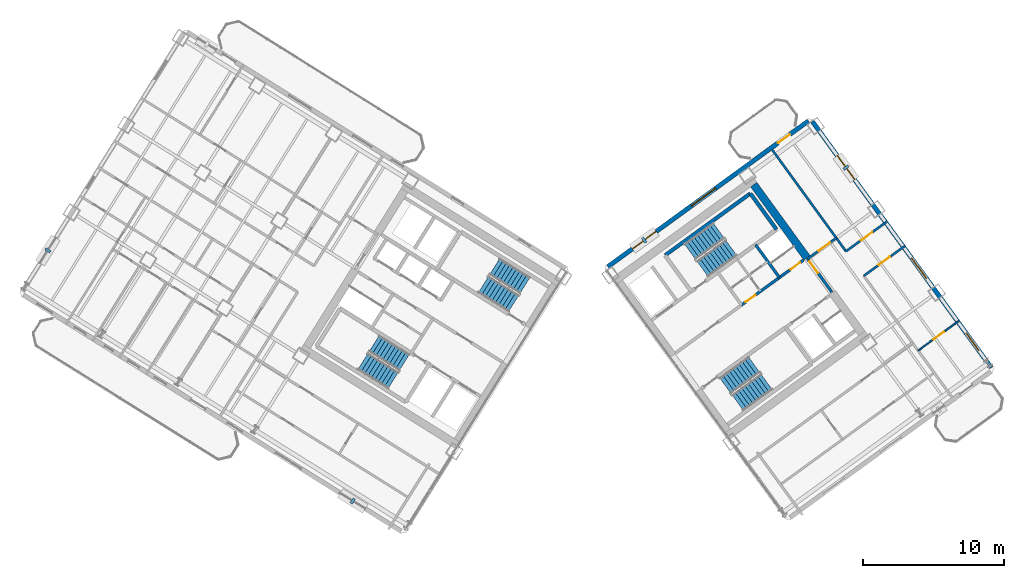
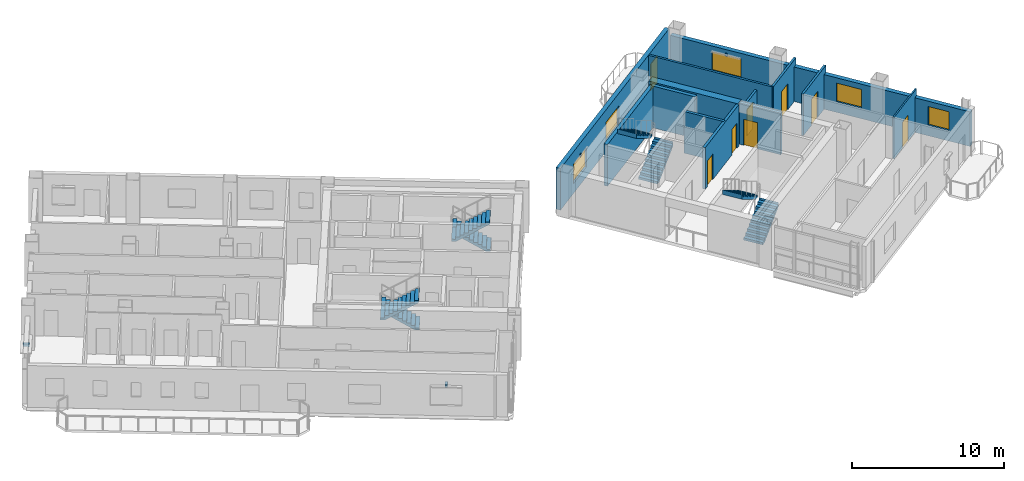
# One storey, part 14 of 19: 13 walls, 8 doors, 8 stair flights, 5 windows, 4 discrete accessories, 13 openings, 4 elements without a shape of their own.
"""IFC4 building model written with IfcOpenShell, lengths in metres."""

from ifc_helpers import new_model, si_unit, direction, frame, frame_2d, origin, origin_2d, place, context, subcontext, project, spatial, polyline, rectangle, outline, extrude, source, transform, mapped, material, layer, layer_set, type_object, element, fill, aggregate, save


model = new_model("IFC4")

# Units and contexts
model_context = context("Model", 3, precision=1e-05, world=origin(), true_north=direction((0.0, 1.0)))
body_context = subcontext(model_context, "Body", "Model", "MODEL_VIEW")
ifc_project = project(units=[si_unit("LENGTHUNIT", "METRE"), si_unit("AREAUNIT", "SQUARE_METRE"), si_unit("VOLUMEUNIT", "CUBIC_METRE"), si_unit("PLANEANGLEUNIT", "RADIAN"), si_unit("MASSUNIT", "GRAM", prefix="KILO")], contexts=[model_context])

# Site, building, storey
site_placement = place(None, origin())
site = spatial("IfcSite", under=ifc_project, at=site_placement, CompositionType="ELEMENT")
building_placement = place(site_placement, origin())
building = spatial("IfcBuilding", under=site, at=building_placement, Name="Tlacorven Tower", CompositionType="ELEMENT")
storey_placement = place(building_placement, frame((0.0, 0.0, 147.89990234375)))
storey = spatial("IfcBuildingStorey", under=building, at=storey_placement, Name="L37", CompositionType="ELEMENT", Elevation=147.89990234375)

# Wall
ifc_material_1 = material(Name="Concrete C60/75", Category="concrete")
ifc_layer_1 = layer(ifc_material_1, 0.550048828125)
ifc_layer_set_1 = layer_set([ifc_layer_1], Name="Concrete C60/75")
wall_type_1 = type_object("IfcWallType", Name="WL-COR-550", PredefinedType="SHEAR", material=ifc_layer_set_1)
wall_1_placement = place(storey_placement, frame((58.06396484375, 25.8134765625, 0.0), z_axis=(0.0, 0.0, 1.0), x_axis=(-0.587764933797, 0.809031756236, 0.0)))
element("IfcWall", 1, at=wall_1_placement, inside=storey, type_object=wall_type_1, Name="L37 E core end wall E2.2", PredefinedType="SHEAR", context=body_context, shape_type="SweptSolid", body=[
    extrude(rectangle(XDim=6.425048828125, YDim=0.550048828125, at=frame_2d((3.21240234375, 0.0))), origin(), (0.0, 0.0, 1.0), 3.35009765625),
])

# Wall, opening, door
ifc_material_2 = material(Name="Gypsum plasterboard acoustic partition", Category="gypsum")
ifc_layer_2 = layer(ifc_material_2, 0.159912109375)
ifc_layer_set_2 = layer_set([ifc_layer_2], Name="Gypsum plasterboard acoustic partition")
wall_type_2 = type_object("IfcWallType", Name="WL-DEM-160", PredefinedType="PARTITIONING", material=ifc_layer_set_2)
wall_2_placement = place(storey_placement, frame((58.111083984375, 25.748779296875, 0.0), z_axis=(0.0, 0.0, 1.0), x_axis=(0.809000999347, 0.58780726693, 0.0)))
wall_2 = element("IfcWall", 2, at=wall_2_placement, inside=storey, type_object=wall_type_2, Name="L37 partition 77", PredefinedType="PARTITIONING", context=body_context, shape_type="SweptSolid", body=[
    extrude(rectangle(XDim=2.510009765625, YDim=0.159912109375, at=frame_2d((1.2548828125, 0.0))), origin(), (0.0, 0.0, 1.0), 2.775146484375),
])
opening_1_placement = place(wall_2_placement, frame((0.949951171875, 0.0, 0.0)))
opening_1 = element("IfcOpeningElement", 3, at=opening_1_placement, cuts=wall_2, Name="Opening D11", PredefinedType="OPENING", context=body_context, shape_type="SweptSolid", body=[
    extrude(rectangle(XDim=1.0, YDim=2.10009765625, at=frame_2d((0.5, 1.050048828125))), frame((0.0, 0.08984375, 0.0), z_axis=(0.0, -1.0, 0.0), x_axis=(1.0, 0.0, 0.0)), (0.0, 0.0, 1.0), 0.179931640625),
])
ifc_material_3 = material(Name="Fire-rated steel door assembly", Category="steel")
door_type_1 = type_object("IfcDoorType", Name="DR-FLT-FD60-1000", OperationType="NOTDEFINED", PredefinedType="DOOR", material=ifc_material_3)
shared_shape_1 = source(origin(), body_context, "Body", "SweptSolid", [
    extrude(rectangle(XDim=1.0, YDim=2.10009765625, at=frame_2d((0.5, 1.050048828125))), frame((0.0, 0.02490234375, 0.0), z_axis=(0.0, -1.0, 0.0), x_axis=(1.0, 0.0, 0.0)), (0.0, 0.0, 1.0), 0.050048828125),
])
door_1_placement = place(opening_1_placement, origin())
door_1 = element("IfcDoor", 4, at=door_1_placement, inside=storey, type_object=door_type_1, Name="L37 door 048", OperationType="SINGLE_SWING_RIGHT", OverallHeight=2.10009765625, OverallWidth=1.0, PredefinedType="DOOR", context=body_context, shape_type="MappedRepresentation", body=[
    mapped(shared_shape_1, transform((0.0, 0.0, 0.0), scale=1.0)),
])
fill(opening_1, door_1)

# Wall
wall_3_placement = place(storey_placement, frame((60.829345703125, 26.277587890625, 0.0), z_axis=(0.0, 0.0, 1.0), x_axis=(-0.587781800813, 0.80901950201, 0.0)))
element("IfcWall", 5, at=wall_3_placement, inside=storey, type_object=wall_type_2, Name="L37 partition 79", PredefinedType="PARTITIONING", context=body_context, shape_type="SweptSolid", body=[
    extrude(rectangle(XDim=8.89990234375, YDim=0.159912109375, at=frame_2d((4.449951171875, 0.0))), origin(), (0.0, 0.0, 1.0), 3.340087890625),
])

# Wall, opening, door
wall_4_placement = place(storey_placement, frame((62.093017578125, 24.538330078125, 0.0), z_axis=(0.0, 0.0, 1.0), x_axis=(0.809035546126, 0.58775971715, 0.0)))
wall_4 = element("IfcWall", 6, at=wall_4_placement, inside=storey, type_object=wall_type_2, Name="L37 partition 81", PredefinedType="PARTITIONING", context=body_context, shape_type="SweptSolid", body=[
    extrude(rectangle(XDim=3.6298828125, YDim=0.159912109375, at=frame_2d((1.81494140625, 0.0))), origin(), (0.0, 0.0, 1.0), 3.340087890625),
])
opening_2_placement = place(wall_4_placement, frame((1.304931640625, 0.0, 0.0)))
opening_2 = element("IfcOpeningElement", 7, at=opening_2_placement, cuts=wall_4, Name="Opening D11", PredefinedType="OPENING", context=body_context, shape_type="SweptSolid", body=[
    extrude(rectangle(XDim=1.0, YDim=2.10009765625, at=frame_2d((0.5, 1.050048828125))), frame((0.0, 0.08984375, 0.0), z_axis=(0.0, -1.0, 0.0), x_axis=(1.0, 0.0, 0.0)), (0.0, 0.0, 1.0), 0.179931640625),
])
door_2_placement = place(opening_2_placement, origin())
door_2 = element("IfcDoor", 8, at=door_2_placement, inside=storey, type_object=door_type_1, Name="L37 door 051", OperationType="SINGLE_SWING_LEFT", OverallHeight=2.10009765625, OverallWidth=1.0, PredefinedType="DOOR", context=body_context, shape_type="MappedRepresentation", body=[
    mapped(shared_shape_1, transform((0.0, 0.0, 0.0), scale=1.0)),
])
fill(opening_2, door_2)

wall_5_placement = place(storey_placement, frame((60.829345703125, 26.277587890625, 0.0), z_axis=(0.0, 0.0, 1.0), x_axis=(0.809003564202, 0.587803736896, 0.0)))
wall_5 = element("IfcWall", 9, at=wall_5_placement, inside=storey, type_object=wall_type_2, Name="L37 partition 82", PredefinedType="PARTITIONING", context=body_context, shape_type="SweptSolid", body=[
    extrude(rectangle(XDim=3.630126953125, YDim=0.159912109375, at=frame_2d((1.81494140625, 0.0))), origin(), (0.0, 0.0, 1.0), 3.340087890625),
])
opening_3_placement = place(wall_5_placement, frame((1.304931640625, 0.0, 0.0)))
opening_3 = element("IfcOpeningElement", 10, at=opening_3_placement, cuts=wall_5, Name="Opening D11", PredefinedType="OPENING", context=body_context, shape_type="SweptSolid", body=[
    extrude(rectangle(XDim=1.0, YDim=2.10009765625, at=frame_2d((0.5, 1.050048828125))), frame((0.0, 0.08984375, 0.0), z_axis=(0.0, -1.0, 0.0), x_axis=(1.0, 0.0, 0.0)), (0.0, 0.0, 1.0), 0.179931640625),
])
door_3_placement = place(opening_3_placement, origin())
door_3 = element("IfcDoor", 11, at=door_3_placement, inside=storey, type_object=door_type_1, Name="L37 door 050", OperationType="SINGLE_SWING_LEFT", OverallHeight=2.10009765625, OverallWidth=1.0, PredefinedType="DOOR", context=body_context, shape_type="MappedRepresentation", body=[
    mapped(shared_shape_1, transform((0.0, 0.0, 0.0), scale=1.0)),
])
fill(opening_3, door_3)

# Wall, openings, door, windows
ifc_material_4 = material(Name="Precast concrete C45/55", Category="concrete")
ifc_layer_3 = layer(ifc_material_4, 0.320068359375)
ifc_layer_set_3 = layer_set([ifc_layer_3], Name="Precast concrete C45/55")
wall_type_3 = type_object("IfcWallType", Name="WL-EXT-320", PredefinedType="STANDARD", material=ifc_layer_set_3)
wall_6_placement = place(storey_placement, frame((43.93798828125, 25.191650390625, 0.0), z_axis=(0.0, 0.0, 1.0), x_axis=(0.809016324578, 0.587786174187, 0.0)))
wall_6 = element("IfcWall", 12, at=wall_6_placement, inside=storey, type_object=wall_type_3, Name="L37 Masonry-Frame Recessed Facade Wall 4", PredefinedType="STANDARD", context=body_context, shape_type="SweptSolid", body=[
    extrude(rectangle(XDim=17.58740234375, YDim=0.320068359375, at=frame_2d((8.793701171875, 0.0))), origin(), (0.0, 0.0, 1.0), 3.35009765625),
])
opening_4_placement = place(wall_6_placement, frame((14.913818359375, 0.0, 0.0)))
opening_4 = element("IfcOpeningElement", 13, at=opening_4_placement, cuts=wall_6, Name="Opening D06", PredefinedType="OPENING", context=body_context, shape_type="SweptSolid", body=[
    extrude(rectangle(XDim=1.050048828125, YDim=2.14990234375, at=frame_2d((0.52490234375, 1.074951171875))), frame((0.0, 0.169921875, 0.0), z_axis=(0.0, -1.0, 0.0), x_axis=(1.0, 0.0, 0.0)), (0.0, 0.0, 1.0), 0.340087890625),
])
opening_5_placement = place(wall_6_placement, frame((2.143798828125, 0.0, 0.800048828125)))
opening_5 = element("IfcOpeningElement", 14, at=opening_5_placement, cuts=wall_6, Name="Opening WN04", PredefinedType="OPENING", context=body_context, shape_type="SweptSolid", body=[
    extrude(rectangle(XDim=2.10009765625, YDim=1.550048828125, at=frame_2d((1.050048828125, 0.77490234375))), frame((0.0, 0.169921875, 0.0), z_axis=(0.0, -1.0, 0.0), x_axis=(1.0, 0.0, 0.0)), (0.0, 0.0, 1.0), 0.340087890625),
])
opening_6_placement = place(wall_6_placement, frame((7.34375, 0.0, 0.800048828125)))
opening_6 = element("IfcOpeningElement", 15, at=opening_6_placement, cuts=wall_6, Name="Opening WN04", PredefinedType="OPENING", context=body_context, shape_type="SweptSolid", body=[
    extrude(rectangle(XDim=2.10009765625, YDim=1.550048828125, at=frame_2d((1.050048828125, 0.77490234375))), frame((0.0, 0.169921875, 0.0), z_axis=(0.0, -1.0, 0.0), x_axis=(1.0, 0.0, 0.0)), (0.0, 0.0, 1.0), 0.340087890625),
])
ifc_material_5 = material(Name="Powder-coated aluminium and timber door", Category="wood")
door_type_2 = type_object("IfcDoorType", Name="DR-EXT-BALC-1050", OperationType="NOTDEFINED", PredefinedType="DOOR", material=ifc_material_5)
shared_shape_2 = source(origin(), body_context, "Body", "SweptSolid", [
    extrude(rectangle(XDim=1.050048828125, YDim=2.14990234375, at=frame_2d((0.52490234375, 1.074951171875))), frame((0.0, 0.02490234375, 0.0), z_axis=(0.0, -1.0, 0.0), x_axis=(1.0, 0.0, 0.0)), (0.0, 0.0, 1.0), 0.050048828125),
])
door_4_placement = place(opening_4_placement, origin())
door_4 = element("IfcDoor", 16, at=door_4_placement, inside=storey, type_object=door_type_2, Name="L37 Outdoor Access Door BAL-L37-E-IN", OperationType="SINGLE_SWING_RIGHT", OverallHeight=2.14990234375, OverallWidth=1.050048828125, PredefinedType="DOOR", context=body_context, shape_type="MappedRepresentation", body=[
    mapped(shared_shape_2, transform((0.0, 0.0, 0.0), scale=1.0)),
])
fill(opening_4, door_4)
ifc_material_6 = material(Name="Dark solar low-E double glazing in anodised aluminium frame", Category="aluminium")
window_type_1 = type_object("IfcWindowType", Name="WN-APT-2100X1750", PartitioningType="SINGLE_PANEL", PredefinedType="WINDOW", material=ifc_material_6)
shared_shape_3 = source(origin(), body_context, "Body", "SweptSolid", [
    extrude(rectangle(XDim=2.10009765625, YDim=1.550048828125, at=frame_2d((1.050048828125, 0.77490234375))), frame((0.0, 0.030029296875, 0.0), z_axis=(0.0, -1.0, 0.0), x_axis=(1.0, 0.0, 0.0)), (0.0, 0.0, 1.0), 0.06005859375),
])
window_1_placement = place(opening_5_placement, origin())
window_1 = element("IfcWindow", 17, at=window_1_placement, inside=storey, type_object=window_type_1, Name="L37 Recessed Masonry-Frame Window L37-04.1", OverallHeight=1.550048828125, OverallWidth=2.10009765625, PartitioningType="SINGLE_PANEL", PredefinedType="WINDOW", context=body_context, shape_type="MappedRepresentation", body=[
    mapped(shared_shape_3, transform((0.0, 0.0, 0.0), scale=1.0)),
])
fill(opening_5, window_1)
window_2_placement = place(opening_6_placement, origin())
window_2 = element("IfcWindow", 18, at=window_2_placement, inside=storey, type_object=window_type_1, Name="L37 Recessed Masonry-Frame Window L37-04.2", OverallHeight=1.550048828125, OverallWidth=2.10009765625, PartitioningType="SINGLE_PANEL", PredefinedType="WINDOW", context=body_context, shape_type="MappedRepresentation", body=[
    mapped(shared_shape_3, transform((0.0, 0.0, 0.0), scale=1.0)),
])
fill(opening_6, window_2)

# Wall, openings, windows
wall_7_placement = place(storey_placement, frame((58.45458984375, 35.483642578125, 0.0), z_axis=(0.0, 0.0, 1.0), x_axis=(0.587783625747, -0.809018176127, 0.0)))
wall_7 = element("IfcWall", 19, at=wall_7_placement, inside=storey, type_object=wall_type_3, Name="L37 Masonry-Frame Recessed Facade Wall 5", PredefinedType="STANDARD", context=body_context, shape_type="SweptSolid", body=[
    extrude(rectangle(XDim=21.58740234375, YDim=0.320068359375, at=frame_2d((10.793701171875, 0.0))), origin(), (0.0, 0.0, 1.0), 2.775146484375),
])
opening_7_placement = place(wall_7_placement, frame((2.99365234375, 0.0, 0.800048828125)))
opening_7 = element("IfcOpeningElement", 20, at=opening_7_placement, cuts=wall_7, Name="Opening WN04", PredefinedType="OPENING", context=body_context, shape_type="SweptSolid", body=[
    extrude(rectangle(XDim=2.10009765625, YDim=1.550048828125, at=frame_2d((1.050048828125, 0.77490234375))), frame((0.0, 0.169921875, 0.0), z_axis=(0.0, -1.0, 0.0), x_axis=(1.0, 0.0, 0.0)), (0.0, 0.0, 1.0), 0.340087890625),
])
opening_8_placement = place(wall_7_placement, frame((11.958740234375, 0.0, 0.85009765625)))
opening_8 = element("IfcOpeningElement", 21, at=opening_8_placement, cuts=wall_7, Name="Opening WN01", PredefinedType="OPENING", context=body_context, shape_type="SweptSolid", body=[
    extrude(rectangle(XDim=1.800048828125, YDim=1.5, at=frame_2d((0.89990234375, 0.75))), frame((0.0, 0.169921875, 0.0), z_axis=(0.0, -1.0, 0.0), x_axis=(1.0, 0.0, 0.0)), (0.0, 0.0, 1.0), 0.340087890625),
])
opening_9_placement = place(wall_7_placement, frame((18.559814453125, 0.0, 0.85009765625)))
opening_9 = element("IfcOpeningElement", 22, at=opening_9_placement, cuts=wall_7, Name="Opening WN02", PredefinedType="OPENING", context=body_context, shape_type="SweptSolid", body=[
    extrude(rectangle(XDim=1.5, YDim=1.5, at=frame_2d((0.75, 0.75))), frame((0.0, 0.169921875, 0.0), z_axis=(0.0, -1.0, 0.0), x_axis=(1.0, 0.0, 0.0)), (0.0, 0.0, 1.0), 0.340087890625),
])
window_3_placement = place(opening_7_placement, origin())
window_3 = element("IfcWindow", 23, at=window_3_placement, inside=storey, type_object=window_type_1, Name="L37 Recessed Masonry-Frame Window L37-05.1", OverallHeight=1.550048828125, OverallWidth=2.10009765625, PartitioningType="SINGLE_PANEL", PredefinedType="WINDOW", context=body_context, shape_type="MappedRepresentation", body=[
    mapped(shared_shape_3, transform((0.0, 0.0, 0.0), scale=1.0)),
])
fill(opening_7, window_3)
window_type_2 = type_object("IfcWindowType", Name="WN-APT-1800X1650", PartitioningType="SINGLE_PANEL", PredefinedType="WINDOW", material=ifc_material_6)
shared_shape_4 = source(origin(), body_context, "Body", "SweptSolid", [
    extrude(rectangle(XDim=1.800048828125, YDim=1.5, at=frame_2d((0.89990234375, 0.75))), frame((0.0, 0.030029296875, 0.0), z_axis=(0.0, -1.0, 0.0), x_axis=(1.0, 0.0, 0.0)), (0.0, 0.0, 1.0), 0.06005859375),
])
window_4_placement = place(opening_8_placement, origin())
window_4 = element("IfcWindow", 24, at=window_4_placement, inside=storey, type_object=window_type_2, Name="L37 Recessed Masonry-Frame Window L37-05.2", OverallHeight=1.5, OverallWidth=1.800048828125, PartitioningType="SINGLE_PANEL", PredefinedType="WINDOW", context=body_context, shape_type="MappedRepresentation", body=[
    mapped(shared_shape_4, transform((0.0, 0.0, 0.0), scale=1.0)),
])
fill(opening_8, window_4)
window_type_3 = type_object("IfcWindowType", Name="WN-APT-1500X1650", PartitioningType="SINGLE_PANEL", PredefinedType="WINDOW", material=ifc_material_6)
shared_shape_5 = source(origin(), body_context, "Body", "SweptSolid", [
    extrude(rectangle(XDim=1.5, YDim=1.5, at=frame_2d((0.75, 0.75))), frame((0.0, 0.030029296875, 0.0), z_axis=(0.0, -1.0, 0.0), x_axis=(1.0, 0.0, 0.0)), (0.0, 0.0, 1.0), 0.06005859375),
])
window_5_placement = place(opening_9_placement, origin())
window_5 = element("IfcWindow", 25, at=window_5_placement, inside=storey, type_object=window_type_3, Name="L37 Recessed Masonry-Frame Window L37-05.3", OverallHeight=1.5, OverallWidth=1.5, PartitioningType="SINGLE_PANEL", PredefinedType="WINDOW", context=body_context, shape_type="MappedRepresentation", body=[
    mapped(shared_shape_5, transform((0.0, 0.0, 0.0), scale=1.0)),
])
fill(opening_9, window_5)

# Wall, opening, door
ifc_material_7 = material(Name="Gypsum plasterboard partition", Category="gypsum")
ifc_layer_4 = layer(ifc_material_7, 0.110107421875)
ifc_layer_set_4 = layer_set([ifc_layer_4], Name="Gypsum plasterboard partition")
wall_type_4 = type_object("IfcWallType", Name="WL-INT-110", PredefinedType="PARTITIONING", material=ifc_layer_set_4)
wall_8_placement = place(storey_placement, frame((65.9443359375, 19.237548828125, 0.0), z_axis=(0.0, 0.0, 1.0), x_axis=(0.809013833588, 0.587789602718, 0.0)))
wall_8 = element("IfcWall", 26, at=wall_8_placement, inside=storey, type_object=wall_type_4, Name="L37 partition 83", PredefinedType="PARTITIONING", context=body_context, shape_type="SweptSolid", body=[
    extrude(rectangle(XDim=3.60986328125, YDim=0.110107421875, at=frame_2d((1.804931640625, 0.0))), origin(), (0.0, 0.0, 1.0), 3.340087890625),
])
opening_10_placement = place(wall_8_placement, frame((1.344970703125, 0.0, 0.0)))
opening_10 = element("IfcOpeningElement", 27, at=opening_10_placement, cuts=wall_8, Name="Opening D12", PredefinedType="OPENING", context=body_context, shape_type="SweptSolid", body=[
    extrude(rectangle(XDim=0.919921875, YDim=2.080078125, at=frame_2d((0.4599609375, 1.0400390625))), frame((0.0, 0.06494140625, 0.0), z_axis=(0.0, -1.0, 0.0), x_axis=(1.0, 0.0, 0.0)), (0.0, 0.0, 1.0), 0.130126953125),
])
door_type_3 = type_object("IfcDoorType", Name="DR-INT-ROOM-0920", OperationType="NOTDEFINED", PredefinedType="DOOR", material=ifc_material_5)
shared_shape_6 = source(origin(), body_context, "Body", "SweptSolid", [
    extrude(rectangle(XDim=0.919921875, YDim=2.080078125, at=frame_2d((0.4599609375, 1.0400390625))), frame((0.0, 0.02490234375, 0.0), z_axis=(0.0, -1.0, 0.0), x_axis=(1.0, 0.0, 0.0)), (0.0, 0.0, 1.0), 0.050048828125),
])
door_5_placement = place(opening_10_placement, origin())
door_5 = element("IfcDoor", 28, at=door_5_placement, inside=storey, type_object=door_type_3, Name="L37 door 052", OperationType="SINGLE_SWING_RIGHT", OverallHeight=2.080078125, OverallWidth=0.919921875, PredefinedType="DOOR", context=body_context, shape_type="MappedRepresentation", body=[
    mapped(shared_shape_6, transform((0.0, 0.0, 0.0), scale=1.0)),
])
fill(opening_10, door_5)

# Wall
ifc_material_8 = material(Name="Concrete C40/50", Category="concrete")
ifc_layer_5 = layer(ifc_material_8, 0.199951171875)
ifc_layer_set_5 = layer_set([ifc_layer_5], Name="Concrete C40/50")
wall_type_5 = type_object("IfcWallType", Name="WL-SHF-200", PredefinedType="STANDARD", material=ifc_layer_set_5)
wall_9_placement = place(storey_placement, frame((56.110595703125, 24.4189453125, 0.0), z_axis=(0.0, 0.0, 1.0), x_axis=(-0.58777848983, 0.809021907548, 0.0)))
element("IfcWall", 29, at=wall_9_placement, inside=storey, type_object=wall_type_5, Name="L37 partition 40", PredefinedType="STANDARD", context=body_context, shape_type="SweptSolid", body=[
    extrude(rectangle(XDim=2.880126953125, YDim=0.199951171875, at=frame_2d((1.43994140625, 0.0))), origin(), (0.0, 0.0, 1.0), 3.340087890625),
])

# Wall, openings, doors
wall_10_placement = place(storey_placement, frame((53.424560546875, 22.467529296875, 0.0), z_axis=(0.0, 0.0, 1.0), x_axis=(0.809024377198, 0.587775090574, 0.0)))
wall_10 = element("IfcWall", 30, at=wall_10_placement, inside=storey, type_object=wall_type_5, Name="L37 Core E North Service Wall", PredefinedType="STANDARD", context=body_context, shape_type="SweptSolid", body=[
    extrude(rectangle(XDim=5.41796875, YDim=0.199951171875, at=frame_2d((2.708984375, 0.0))), origin(), (0.0, 0.0, 1.0), 3.340087890625),
])
opening_11_placement = place(wall_10_placement, frame((4.280029296875, 0.0, 0.0)))
opening_11 = element("IfcOpeningElement", 31, at=opening_11_placement, cuts=wall_10, Name="Opening D19", PredefinedType="OPENING", context=body_context, shape_type="SweptSolid", body=[
    extrude(rectangle(XDim=0.860107421875, YDim=2.050048828125, at=frame_2d((0.43017578125, 1.02490234375))), frame((0.0, 0.10986328125, 0.0), z_axis=(0.0, -1.0, 0.0), x_axis=(1.0, 0.0, 0.0)), (0.0, 0.0, 1.0), 0.219970703125),
])
opening_12_placement = place(wall_10_placement, frame((0.35009765625, 0.0, 0.0)))
opening_12 = element("IfcOpeningElement", 32, at=opening_12_placement, cuts=wall_10, Name="Opening D19", PredefinedType="OPENING", context=body_context, shape_type="SweptSolid", body=[
    extrude(rectangle(XDim=0.860107421875, YDim=2.050048828125, at=frame_2d((0.43017578125, 1.02490234375))), frame((0.0, 0.10986328125, 0.0), z_axis=(0.0, -1.0, 0.0), x_axis=(1.0, 0.0, 0.0)), (0.0, 0.0, 1.0), 0.219970703125),
])
door_type_4 = type_object("IfcDoorType", Name="DR-RSR-FD60-0860", OperationType="NOTDEFINED", PredefinedType="DOOR", material=ifc_material_3)
shared_shape_7 = source(origin(), body_context, "Body", "SweptSolid", [
    extrude(rectangle(XDim=0.860107421875, YDim=2.050048828125, at=frame_2d((0.43017578125, 1.02490234375))), frame((0.0, 0.02490234375, 0.0), z_axis=(0.0, -1.0, 0.0), x_axis=(1.0, 0.0, 0.0)), (0.0, 0.0, 1.0), 0.050048828125),
])
door_6_placement = place(opening_11_placement, frame((0.860107421875, 0.0, 0.0), z_axis=(0.0, 0.0, 1.0), x_axis=(-1.0, 0.0, 0.0)))
door_6 = element("IfcDoor", 33, at=door_6_placement, inside=storey, type_object=door_type_4, Name="L37 Electrical Riser Access Door E", OperationType="SINGLE_SWING_LEFT", OverallHeight=2.050048828125, OverallWidth=0.860107421875, PredefinedType="DOOR", context=body_context, shape_type="MappedRepresentation", body=[
    mapped(shared_shape_7, transform((0.0, 0.0, 0.0), scale=1.0)),
])
fill(opening_11, door_6)
door_7_placement = place(opening_12_placement, frame((0.860107421875, 0.0, 0.0), z_axis=(0.0, 0.0, 1.0), x_axis=(-1.0, 0.0, 0.0)))
door_7 = element("IfcDoor", 34, at=door_7_placement, inside=storey, type_object=door_type_4, Name="L37 Cleaning Room Access Door E", OperationType="SINGLE_SWING_RIGHT", OverallHeight=2.050048828125, OverallWidth=0.860107421875, PredefinedType="DOOR", context=body_context, shape_type="MappedRepresentation", body=[
    mapped(shared_shape_7, transform((0.0, 0.0, 0.0), scale=1.0)),
])
fill(opening_12, door_7)

# Wall, opening, door
wall_11_placement = place(storey_placement, frame((59.827392578125, 23.386474609375, 0.0), z_axis=(0.0, 0.0, 1.0), x_axis=(-0.587803840107, 0.809003489211, 0.0)))
wall_11 = element("IfcWall", 35, at=wall_11_placement, inside=storey, type_object=wall_type_5, Name="L37 partition 75", PredefinedType="STANDARD", context=body_context, shape_type="SweptSolid", body=[
    extrude(rectangle(XDim=2.960205078125, YDim=0.199951171875, at=frame_2d((1.47998046875, 0.0))), origin(), (0.0, 0.0, 1.0), 3.340087890625),
])
opening_13_placement = place(wall_11_placement, frame((1.679931640625, 0.0, 0.0)))
opening_13 = element("IfcOpeningElement", 36, at=opening_13_placement, cuts=wall_11, Name="Opening D11", PredefinedType="OPENING", context=body_context, shape_type="SweptSolid", body=[
    extrude(rectangle(XDim=1.0, YDim=2.10009765625, at=frame_2d((0.5, 1.050048828125))), frame((0.0, 0.10986328125, 0.0), z_axis=(0.0, -1.0, 0.0), x_axis=(1.0, 0.0, 0.0)), (0.0, 0.0, 1.0), 0.219970703125),
])
door_8_placement = place(opening_13_placement, origin())
door_8 = element("IfcDoor", 37, at=door_8_placement, inside=storey, type_object=door_type_1, Name="L37 door 049", OperationType="SINGLE_SWING_LEFT", OverallHeight=2.10009765625, OverallWidth=1.0, PredefinedType="DOOR", context=body_context, shape_type="MappedRepresentation", body=[
    mapped(shared_shape_1, transform((0.0, 0.0, 0.0), scale=1.0)),
])
fill(opening_13, door_8)

# Walls
ifc_material_9 = material(Name="Concrete C50/60", Category="concrete")
ifc_layer_6 = layer(ifc_material_9, 0.260009765625)
ifc_layer_set_6 = layer_set([ifc_layer_6], Name="Concrete C50/60")
wall_type_6 = type_object("IfcWallType", Name="WL-STW-260", PredefinedType="SHEAR", material=ifc_layer_set_6)
wall_12_placement = place(storey_placement, frame((48.005615234375, 25.996337890625, 0.0), z_axis=(0.0, 0.0, 1.0), x_axis=(0.80901903764, 0.587782439969, 0.0)))
element("IfcWall", 38, at=wall_12_placement, inside=storey, type_object=wall_type_6, Name="L37 Stair E1 Far Shear Wall", PredefinedType="SHEAR", context=body_context, shape_type="SweptSolid", body=[
    extrude(rectangle(XDim=7.4599609375, YDim=0.260009765625, at=frame_2d((3.72998046875, 0.0))), origin(), (0.0, 0.0, 1.0), 3.35009765625),
])
wall_13_placement = place(storey_placement, frame((55.906494140625, 27.83056640625, 0.0), z_axis=(0.0, 0.0, 1.0), x_axis=(-0.587804123638, 0.809003283204, 0.0)))
element("IfcWall", 39, at=wall_13_placement, inside=storey, type_object=wall_type_6, Name="L37 Stair E1 East Shear Wall", PredefinedType="SHEAR", context=body_context, shape_type="SweptSolid", body=[
    extrude(rectangle(XDim=3.159912109375, YDim=0.260009765625, at=frame_2d((1.580078125, 0.0))), origin(), (0.0, 0.0, 1.0), 3.35009765625),
])

# Stair, stair flights
stair_type = type_object("IfcStairType", Name="ST-CORE-DLG", PredefinedType="HALF_TURN_STAIR", material=ifc_material_8)
stair_1_placement = place(storey_placement, origin())
stair_1 = element("IfcStair", 40, at=stair_1_placement, inside=storey, type_object=stair_type, Name="L37 Protected Exit Stair West 1", PredefinedType="HALF_TURN_STAIR")
stair_flight_type = type_object("IfcStairFlightType", Name="SFL-RC-1380", PredefinedType="STRAIGHT", material=ifc_material_8)
shared_shape_8 = source(origin(), body_context, "Body", "SweptSolid", [
    extrude(outline(polyline([(-0.0029296875, -0.0029296875), (-0.0029296875, 0.179931640625), (0.280029296875, 0.179931640625), (0.280029296875, 0.360107421875), (0.56005859375, 0.360107421875), (0.56005859375, 0.5400390625), (0.840087890625, 0.5400390625), (0.840087890625, 0.719970703125), (1.1201171875, 0.719970703125), (1.1201171875, 0.89990234375), (1.39990234375, 0.89990234375), (1.39990234375, 1.080078125), (1.679931640625, 1.080078125), (1.679931640625, 1.260009765625), (1.9599609375, 1.260009765625), (1.9599609375, 1.43994140625), (2.239990234375, 1.43994140625), (2.239990234375, 1.6201171875), (2.52001953125, 1.6201171875), (2.52001953125, 1.800048828125), (2.52294921875, 1.800048828125), (2.52294921875, 1.429931640625), (2.52001953125, 1.429931640625), (0.295654296875, 0.0), (0.295654296875, -0.0029296875), (-0.0029296875, -0.0029296875)])), frame((0.0, 0.68994140625, 0.0), z_axis=(0.0, -1.0, 0.0), x_axis=(1.0, 0.0, 0.0)), (0.0, 0.0, 1.0), 1.3798828125),
])
stair_flight_1_placement = place(storey_placement, frame((29.499755859375, 18.39453125, 0.0), z_axis=(0.0, 0.0, 1.0), x_axis=(-0.848048096156, 0.529919264233, 0.0)))
stair_flight_1 = element("IfcStairFlight", 41, at=stair_flight_1_placement, type_object=stair_flight_type, Name="ST-W1 flight 1", NumberOfRisers=10, NumberOfTreads=9, PredefinedType="STRAIGHT", RiserHeight=0.18, TreadLength=0.28, context=body_context, shape_type="MappedRepresentation", body=[
    mapped(shared_shape_8, transform((0.0, 0.0, 0.0), scale=1.0)),
])
stair_flight_2_placement = place(storey_placement, frame((26.56787109375, 18.4580078125, 1.800048828125), z_axis=(0.0, 0.0, 1.0), x_axis=(0.848048096156, -0.529919264233, 0.0)))
stair_flight_2 = element("IfcStairFlight", 42, at=stair_flight_2_placement, type_object=stair_flight_type, Name="ST-W1 flight 2", NumberOfRisers=10, NumberOfTreads=9, PredefinedType="STRAIGHT", RiserHeight=0.18, TreadLength=0.28, context=body_context, shape_type="MappedRepresentation", body=[
    mapped(shared_shape_8, transform((0.0, 0.0, 0.0), scale=1.0)),
])
aggregate(stair_1, [stair_flight_1, stair_flight_2])

stair_2_placement = place(storey_placement, origin())
stair_2 = element("IfcStair", 43, at=stair_2_placement, inside=storey, type_object=stair_type, Name="L37 Protected Exit Stair West 2", PredefinedType="HALF_TURN_STAIR")
stair_flight_3_placement = place(storey_placement, frame((38.051513671875, 23.852294921875, 0.0), z_axis=(0.0, 0.0, 1.0), x_axis=(-0.848048096156, 0.529919264233, 0.0)))
stair_flight_3 = element("IfcStairFlight", 44, at=stair_flight_3_placement, type_object=stair_flight_type, Name="ST-W2 flight 1", NumberOfRisers=10, NumberOfTreads=9, PredefinedType="STRAIGHT", RiserHeight=0.18, TreadLength=0.28, context=body_context, shape_type="MappedRepresentation", body=[
    mapped(shared_shape_8, transform((0.0, 0.0, 0.0), scale=1.0)),
])
stair_flight_4_placement = place(storey_placement, frame((35.119384765625, 23.91552734375, 1.800048828125), z_axis=(0.0, 0.0, 1.0), x_axis=(0.848048096156, -0.529919264233, 0.0)))
stair_flight_4 = element("IfcStairFlight", 45, at=stair_flight_4_placement, type_object=stair_flight_type, Name="ST-W2 flight 2", NumberOfRisers=10, NumberOfTreads=9, PredefinedType="STRAIGHT", RiserHeight=0.18, TreadLength=0.28, context=body_context, shape_type="MappedRepresentation", body=[
    mapped(shared_shape_8, transform((0.0, 0.0, 0.0), scale=1.0)),
])
aggregate(stair_2, [stair_flight_3, stair_flight_4])

stair_3_placement = place(storey_placement, origin())
stair_3 = element("IfcStair", 46, at=stair_3_placement, inside=storey, type_object=stair_type, Name="L37 Protected Exit Stair East 1", PredefinedType="HALF_TURN_STAIR")
stair_flight_5_placement = place(storey_placement, frame((50.6533203125, 25.0400390625, 0.0), z_axis=(0.0, 0.0, 1.0), x_axis=(0.809016994375, 0.587785252292, 0.0)))
stair_flight_5 = element("IfcStairFlight", 47, at=stair_flight_5_placement, type_object=stair_flight_type, Name="ST-E1 flight 1", NumberOfRisers=10, NumberOfTreads=9, PredefinedType="STRAIGHT", RiserHeight=0.18, TreadLength=0.28, context=body_context, shape_type="MappedRepresentation", body=[
    mapped(shared_shape_8, transform((0.0, 0.0, 0.0), scale=1.0)),
])
stair_flight_6_placement = place(storey_placement, frame((51.810546875, 27.734619140625, 1.800048828125), z_axis=(0.0, 0.0, 1.0), x_axis=(-0.809016994375, -0.587785252292, 0.0)))
stair_flight_6 = element("IfcStairFlight", 48, at=stair_flight_6_placement, type_object=stair_flight_type, Name="ST-E1 flight 2", NumberOfRisers=10, NumberOfTreads=9, PredefinedType="STRAIGHT", RiserHeight=0.18, TreadLength=0.28, context=body_context, shape_type="MappedRepresentation", body=[
    mapped(shared_shape_8, transform((0.0, 0.0, 0.0), scale=1.0)),
])
aggregate(stair_3, [stair_flight_5, stair_flight_6])

stair_4_placement = place(storey_placement, origin())
stair_4 = element("IfcStair", 49, at=stair_4_placement, inside=storey, type_object=stair_type, Name="L37 Protected Exit Stair East 2", PredefinedType="HALF_TURN_STAIR")
stair_flight_7_placement = place(storey_placement, frame((53.157470703125, 15.536865234375, 0.0), z_axis=(0.0, 0.0, 1.0), x_axis=(0.809016994375, 0.587785252292, 0.0)))
stair_flight_7 = element("IfcStairFlight", 50, at=stair_flight_7_placement, type_object=stair_flight_type, Name="ST-E2 flight 1", NumberOfRisers=10, NumberOfTreads=9, PredefinedType="STRAIGHT", RiserHeight=0.18, TreadLength=0.28, context=body_context, shape_type="MappedRepresentation", body=[
    mapped(shared_shape_8, transform((0.0, 0.0, 0.0), scale=1.0)),
])
stair_flight_8_placement = place(storey_placement, frame((54.314453125, 18.231689453125, 1.800048828125), z_axis=(0.0, 0.0, 1.0), x_axis=(-0.809016994375, -0.587785252292, 0.0)))
stair_flight_8 = element("IfcStairFlight", 51, at=stair_flight_8_placement, type_object=stair_flight_type, Name="ST-E2 flight 2", NumberOfRisers=10, NumberOfTreads=9, PredefinedType="STRAIGHT", RiserHeight=0.18, TreadLength=0.28, context=body_context, shape_type="MappedRepresentation", body=[
    mapped(shared_shape_8, transform((0.0, 0.0, 0.0), scale=1.0)),
])
aggregate(stair_4, [stair_flight_7, stair_flight_8])

# Discrete accessories
ifc_material_10 = material(Name="Steel S355J2", Category="steel")
discrete_accessory_type = type_object("IfcDiscreteAccessoryType", Name="ACC-BRK-01", PredefinedType="BRACKET", material=ifc_material_10)
shared_shape_9 = source(origin(), body_context, "Body", "SweptSolid", [
    extrude(rectangle(XDim=0.179931640625, YDim=0.419921875, at=origin_2d()), origin(), (0.0, 0.0, 1.0), 0.219970703125),
])
for number, where, z_axis, x_axis, name in (
    (52, (25.8427734375, 8.569580078125, 2.2802734375), (0.0, 0.0, 1.0), (-0.84804812172, 0.529919223323, 0.0), "L37 Sunshade Bracket L37-01.1"),
    (53, (4.219482421875, 26.341064453125, 2.2802734375), (0.0, 0.0, 1.0), (0.529918940959, 0.84804829816, 0.0), "L37 Sunshade Bracket L37-02.1"),
    (54, (46.521728515625, 27.06884765625, 2.2802734375), (0.0, 0.0, 1.0), (0.809017097486, 0.587785110372, 0.0), "L37 Sunshade Bracket L37-04.1"),
    (55, (60.83154296875, 32.21240234375, 2.2802734375), (0.0, 0.0, 1.0), (0.587785363163, -0.809016913823, 0.0), "L37 Sunshade Bracket L37-05.1"),
):
    element("IfcDiscreteAccessory", number, at=place(storey_placement, frame(where, z_axis=z_axis, x_axis=x_axis)), inside=storey, type_object=discrete_accessory_type, Name=name, PredefinedType="BRACKET", context=body_context, shape_type="MappedRepresentation", body=[
        mapped(shared_shape_9, transform((0.0, 0.0, 0.0), scale=1.0)),
    ])

save(model, "model.ifc")
